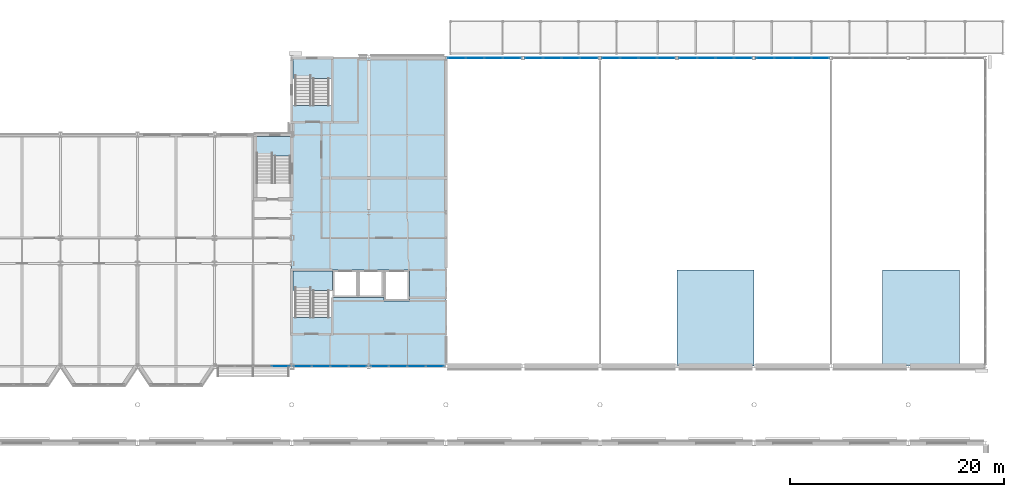
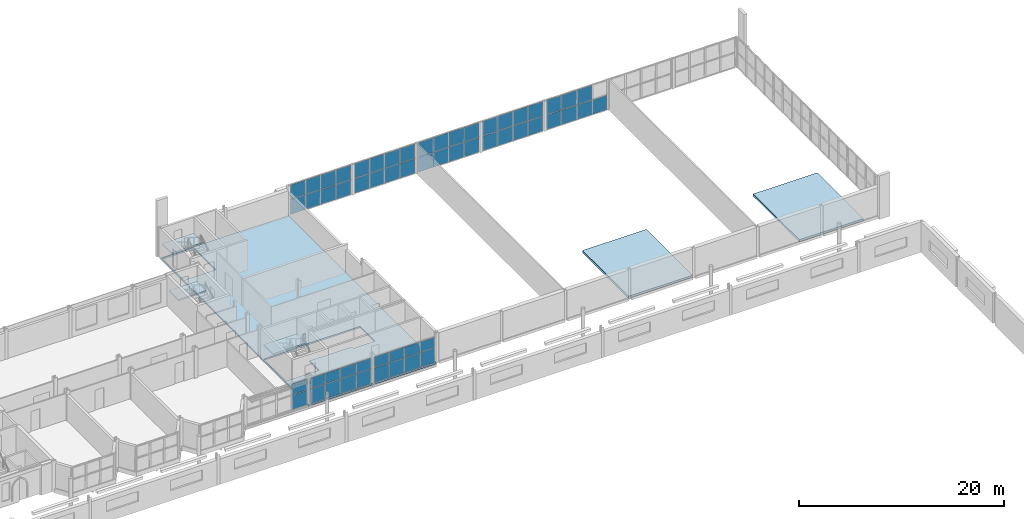
# One storey, part 61 of 124: 57 plates, 6 slabs, 11 elements without a shape of their own.
"""IFC4 building model written with IfcOpenShell, lengths in metres."""

import ifcopenshell
import ifcopenshell.guid

model = None  # the IFC model being written
_history = None  # IfcOwnerHistory: only IFC2X3 demands one
_inside = {}  # id of a spatial element -> (the spatial element, [elements in it])
_under = {}  # id of a project, library or spatial element -> (it, [spatial elements below it])
_declared = {}  # id of a project -> (the project, [libraries it declares])
_typed = {}  # id of a type object -> (the type object, [elements of that type])
_made_of = {}  # id of a material, layer set ... -> (it, [elements and type objects made of it])


def new_model(schema):
    """Start an empty IFC model of exactly this schema.

    Asked for "IFC4X3", IfcOpenShell would pick the latest addendum, in which some entities
    have other attributes; the version numbers below select the first issue.
    IFC2X3 requires an IfcOwnerHistory on every rooted entity: one is made here for all.
    """
    global model, _history
    if schema == "IFC4X3":
        model = ifcopenshell.file(schema_version=(4, 3, 0, 0))
    else:
        model = ifcopenshell.file(schema=schema)
    _inside.clear()
    _under.clear()
    _declared.clear()
    _typed.clear()
    _made_of.clear()
    _history = None
    if model.schema == "IFC2X3":
        org = make("IfcOrganization", Name="unknown")
        user = make(
            "IfcPersonAndOrganization",
            ThePerson=make("IfcPerson", FamilyName="unknown"),
            TheOrganization=org,
        )
        app = make(
            "IfcApplication",
            ApplicationDeveloper=org,
            Version="unknown",
            ApplicationFullName="unknown",
            ApplicationIdentifier="unknown",
        )
        _history = make(
            "IfcOwnerHistory",
            OwningUser=user,
            OwningApplication=app,
            ChangeAction="ADDED",
            CreationDate=0,
        )
    return model


def make(cls, **values):
    """One entity of the class cls with the attributes given. An attribute that is None is left unset."""
    return model.create_entity(
        cls, **{name: value for name, value in values.items() if value is not None}
    )


def rooted(cls, **values):
    """An entity with a GlobalId (a new one), such as an element, a storey or a relation."""
    return make(cls, GlobalId=ifcopenshell.guid.new(), OwnerHistory=_history, **values)


def si_unit(unit_type, name, prefix=None):
    """IfcSIUnit, for example si_unit("LENGTHUNIT", "METRE", prefix="MILLI")."""
    return make("IfcSIUnit", UnitType=unit_type, Prefix=prefix, Name=name)


def assignment(units):
    """IfcUnitAssignment: the units of a project."""
    return None if units is None else make("IfcUnitAssignment", Units=units)


def point(xyz):
    """IfcCartesianPoint."""
    return None if xyz is None else make("IfcCartesianPoint", Coordinates=xyz)


def direction(xyz):
    """IfcDirection."""
    return None if xyz is None else make("IfcDirection", DirectionRatios=xyz)


def frame(location, z_axis=None, x_axis=None):
    """IfcAxis2Placement3D, a coordinate frame: its origin and axes. An axis left out is left unset."""
    return make(
        "IfcAxis2Placement3D",
        Location=point(location),
        Axis=direction(z_axis),
        RefDirection=direction(x_axis),
    )


def frame_2d(location, x_axis=None):
    """IfcAxis2Placement2D, a coordinate frame in the plane: its origin and x axis."""
    return make(
        "IfcAxis2Placement2D", Location=point(location), RefDirection=direction(x_axis)
    )


def origin():
    """The frame at (0, 0, 0) with its axes left unset."""
    return frame((0.0, 0.0, 0.0))


def origin_2d():
    """The frame at (0, 0) in the plane with its x axis left unset."""
    return frame_2d((0.0, 0.0))


def place(relative_to, where):
    """IfcLocalPlacement: puts the frame where relative to a parent placement (None: the world)."""
    return make(
        "IfcLocalPlacement", PlacementRelTo=relative_to, RelativePlacement=where
    )


def context(
    kind, dimensions, precision=None, world=None, true_north=None, identifier=None
):
    """IfcGeometricRepresentationContext, for example the 3D "Model" context."""
    return make(
        "IfcGeometricRepresentationContext",
        ContextIdentifier=identifier,
        ContextType=kind,
        CoordinateSpaceDimension=dimensions,
        Precision=precision,
        WorldCoordinateSystem=world,
        TrueNorth=true_north,
    )


def subcontext(parent, identifier, kind, view, scale=None):
    """IfcGeometricRepresentationSubContext, for example "Body" below "Model"."""
    return make(
        "IfcGeometricRepresentationSubContext",
        ContextIdentifier=identifier,
        ContextType=kind,
        ParentContext=parent,
        TargetScale=scale,
        TargetView=view,
    )


def project(units=None, contexts=None):
    """IfcProject with its units and contexts."""
    return rooted(
        "IfcProject",
        Name="project",
        RepresentationContexts=contexts,
        UnitsInContext=assignment(units),
    )


def spatial(cls, under=None, at=None, **own):
    """A site, building, storey or space (cls), placed at a placement, below another one or the project."""
    s = rooted(cls, ObjectPlacement=at, **own)
    if under is not None:
        _under.setdefault(under.id(), (under, []))[1].append(s)
    return s


def polyline(points):
    """IfcPolyline through the points."""
    return make("IfcPolyline", Points=[point(p) for p in points])


def profile(cls, at=None, kind="AREA", **sizes):
    """A parametric profile (cls). Its sizes go by their IFC names, for example OverallWidth=200.0."""
    return make(cls, ProfileType=kind, Position=at, **sizes)


def rectangle(**sizes):
    """IfcRectangleProfileDef."""
    return profile("IfcRectangleProfileDef", **sizes)


def outline(outer, holes=None, kind="AREA"):
    """IfcArbitraryClosedProfileDef: a profile drawn as a closed curve; with holes, ...WithVoids."""
    if holes is None:
        return make("IfcArbitraryClosedProfileDef", ProfileType=kind, OuterCurve=outer)
    return make(
        "IfcArbitraryProfileDefWithVoids",
        ProfileType=kind,
        OuterCurve=outer,
        InnerCurves=holes,
    )


def extrude(swept, where, along, depth):
    """IfcExtrudedAreaSolid: the profile swept, set in the frame where, extruded along a direction by depth."""
    return make(
        "IfcExtrudedAreaSolid",
        SweptArea=swept,
        Position=where,
        ExtrudedDirection=direction(along),
        Depth=depth,
    )


def shape(context_of_items, identifier, shape_type, items):
    """IfcShapeRepresentation: the items that make up one representation, for example the "Body"."""
    return make(
        "IfcShapeRepresentation",
        ContextOfItems=context_of_items,
        RepresentationIdentifier=identifier,
        RepresentationType=shape_type,
        Items=items,
    )


def material(Name=None, Category=None):
    """IfcMaterial."""
    return make("IfcMaterial", Name=Name, Category=Category)


def layer(
    of_material, thickness, ventilated=None, Name=None, Category=None, Priority=None
):
    """IfcMaterialLayer: one layer of a wall or slab, of a material (None: an air gap)."""
    return make(
        "IfcMaterialLayer",
        Material=of_material,
        LayerThickness=thickness,
        IsVentilated=ventilated,
        Name=Name,
        Category=Category,
        Priority=Priority,
    )


def layer_set(layers, Name=None):
    """IfcMaterialLayerSet."""
    return make("IfcMaterialLayerSet", MaterialLayers=layers, LayerSetName=Name)


def made_of(thing, what):
    """Note that an element or type object is made of a material, layer set ...; save() writes the relation."""
    if what is not None:
        _made_of.setdefault(what.id(), (what, []))[1].append(thing)
    return thing


def type_object(cls, material=None, **own):
    """A type object (cls), such as IfcWallType, which elements share."""
    return made_of(rooted(cls, **own), material)


def element(
    cls,
    number,
    at=None,
    inside=None,
    cuts=None,
    type_object=None,
    material=None,
    context=None,
    identifier="Body",
    shape_type=None,
    held_by="IfcProductDefinitionShape",
    body=None,
    shapes=None,
    **own,
):
    """One element of the class cls, such as IfcWall. Its Tag is "e" and its number.

    at: its placement. inside: the storey or other place that contains it. cuts: it is an
    opening in that element (IfcRelVoidsElement). A single representation is given by context,
    identifier, shape_type and body (its items); several are given by shapes. held_by: the class
    of the entity that holds the representations. save() writes the other relations.
    """
    e = rooted(cls, Tag="e%d" % number, ObjectPlacement=at, **own)
    if body is not None:
        shapes = [shape(context, identifier, shape_type, body)]
    if shapes is not None:
        e.Representation = make(held_by, Representations=shapes)
    if inside is not None:
        _inside.setdefault(inside.id(), (inside, []))[1].append(e)
    if cuts is not None:
        rooted(
            "IfcRelVoidsElement", RelatingBuildingElement=cuts, RelatedOpeningElement=e
        )
    if type_object is not None:
        _typed.setdefault(type_object.id(), (type_object, []))[1].append(e)
    return made_of(e, material)


def aggregate(whole, parts):
    """IfcRelAggregates: a whole, such as a stair, and the parts it consists of."""
    return rooted("IfcRelAggregates", RelatingObject=whole, RelatedObjects=parts)


def save(model, path):
    """Write the relations noted so far, then the file.

    IfcRelAggregates (storeys below a building ...), IfcRelContainedInSpatialStructure (elements
    in a storey), IfcRelDefinesByType, IfcRelAssociatesMaterial and IfcRelDeclares: one each for
    every whole, place, type object, material and project.
    """
    for whole, parts in _under.values():
        aggregate(whole, parts)
    for where, things in _inside.values():
        rooted(
            "IfcRelContainedInSpatialStructure",
            RelatedElements=things,
            RelatingStructure=where,
        )
    for kind, things in _typed.values():
        rooted("IfcRelDefinesByType", RelatedObjects=things, RelatingType=kind)
    for what, things in _made_of.values():
        rooted("IfcRelAssociatesMaterial", RelatedObjects=things, RelatingMaterial=what)
    for by, libraries in _declared.values():
        rooted("IfcRelDeclares", RelatingContext=by, RelatedDefinitions=libraries)
    model.write(path)


model = new_model("IFC4")

# Units and contexts
model_context = context("Model", 3, precision=1e-05, world=origin(), true_north=direction((0.0, 1.0)))
body_context = subcontext(model_context, "Body", "Model", "MODEL_VIEW")
ifc_project = project(units=[si_unit("LENGTHUNIT", "METRE"), si_unit("AREAUNIT", "SQUARE_METRE"), si_unit("VOLUMEUNIT", "CUBIC_METRE"), si_unit("PLANEANGLEUNIT", "RADIAN"), si_unit("MASSUNIT", "GRAM", prefix="KILO")], contexts=[model_context])

# Site, building, storey
site_placement = place(None, origin())
site = spatial("IfcSite", under=ifc_project, at=site_placement, CompositionType="ELEMENT")
building_placement = place(site_placement, origin())
building = spatial("IfcBuilding", under=site, at=building_placement, Name="Kupolbacken Congress Centre", CompositionType="ELEMENT")
storey_placement = place(building_placement, frame((0.0, 0.0, 10.800048828125)))
storey = spatial("IfcBuildingStorey", under=building, at=storey_placement, Name="L03", CompositionType="ELEMENT", Elevation=10.800048828125)

# Slab
ifc_material_1 = material(Name="Concrete C30/37", Category="concrete")
ifc_layer_1 = layer(ifc_material_1, 0.1201171875)
ifc_material_2 = material(Name="Steel S350 profiled deck", Category="steel")
ifc_layer_2 = layer(ifc_material_2, 0.06005859375)
ifc_layer_set_1 = layer_set([ifc_layer_1, ifc_layer_2], Name="Concrete C30/37 / Steel S350 profiled deck")
slab_type_1 = type_object("IfcSlabType", Name="FS3 slab 180", PredefinedType="FLOOR", material=ifc_layer_set_1)
slab_1_placement = place(storey_placement, frame((0.0, 0.0, -0.179931640625)))
element("IfcSlab", 1, at=slab_1_placement, inside=storey, type_object=slab_type_1, Name="S/floor/BF/L03/slab/slab", PredefinedType="FLOOR", context=body_context, shape_type="SweptSolid", body=[
    extrude(outline(polyline([(151.199462890625, 122.400390625), (151.199462890625, 151.199462890625), (136.800537109375, 151.199462890625), (136.800537109375, 122.400390625), (151.199462890625, 122.400390625)]), holes=[polyline([(140.599609375, 131.400390625), (147.800537109375, 131.400390625), (147.800537109375, 128.49951171875), (145.3994140625, 128.49951171875), (145.3994140625, 128.799560546875), (140.6005859375, 128.799560546875), (140.6005859375, 126.95947265625), (136.924560546875, 126.95947265625), (136.924560546875, 131.275390625), (140.599609375, 131.275390625), (140.599609375, 131.400390625)]), polyline([(136.924560546875, 146.759521484375), (136.924560546875, 151.075439453125), (140.4755859375, 151.075439453125), (140.4755859375, 146.759521484375), (136.924560546875, 146.759521484375)])]), origin(), (0.0, 0.0, 1.0), 0.179931640625),
])

# Curtain wall, plates
ifc_material_3 = material(Name="Aluminium mullion-transom frame with glass", Category="aluminium")
curtain_wall_type = type_object("IfcCurtainWallType", Name="CW1 curtain wall 7200x3600", PredefinedType="NOTDEFINED", material=ifc_material_3)
curtain_wall_1_placement = place(storey_placement, origin())
curtain_wall_1 = element("IfcCurtainWall", 2, at=curtain_wall_1_placement, inside=storey, type_object=curtain_wall_type, Name="E/B/N/L03/303", PredefinedType="NOTDEFINED")
ifc_material_4 = material(Name="Glass", Category="glass")
ifc_layer_3 = layer(ifc_material_4, 0.035888671875)
ifc_layer_set_2 = layer_set([ifc_layer_3], Name="Glass")
plate_type = type_object("IfcPlateType", Name="GL2 glass panel 36", PredefinedType="CURTAIN_PANEL", material=ifc_layer_set_2)
plate_1_placement = place(storey_placement, frame((186.175048828125, 151.199951171875, 0.0498046875), z_axis=(0.0, 0.0, 1.0), x_axis=(-1.0, 0.0, 0.0)))
plate_1 = element("IfcPlate", 3, at=plate_1_placement, type_object=plate_type, Name="CW1 panel 1.1", PredefinedType="CURTAIN_PANEL", context=body_context, shape_type="SweptSolid", body=[
    extrude(rectangle(XDim=1.64990234375, YDim=0.035888671875, at=origin_2d()), origin(), (0.0, 0.0, 1.0), 1.72509765625),
])
plate_2_placement = place(storey_placement, frame((184.46240234375, 151.199951171875, 0.0498046875), z_axis=(0.0, 0.0, 1.0), x_axis=(-1.0, 0.0, 0.0)))
plate_2 = element("IfcPlate", 4, at=plate_2_placement, type_object=plate_type, Name="CW1 panel 2.1", PredefinedType="CURTAIN_PANEL", context=body_context, shape_type="SweptSolid", body=[
    extrude(rectangle(XDim=1.675048828125, YDim=0.035888671875, at=origin_2d()), origin(), (0.0, 0.0, 1.0), 1.72509765625),
])
plate_3_placement = place(storey_placement, frame((184.46240234375, 151.199951171875, 1.824951171875), z_axis=(0.0, 0.0, 1.0), x_axis=(-1.0, 0.0, 0.0)))
plate_3 = element("IfcPlate", 5, at=plate_3_placement, type_object=plate_type, Name="CW1 panel 2.2", PredefinedType="CURTAIN_PANEL", context=body_context, shape_type="SweptSolid", body=[
    extrude(rectangle(XDim=1.675048828125, YDim=0.035888671875, at=origin_2d()), origin(), (0.0, 0.0, 1.0), 1.72509765625),
])
plate_4_placement = place(storey_placement, frame((182.737548828125, 151.199951171875, 0.0498046875), z_axis=(0.0, 0.0, 1.0), x_axis=(-1.0, 0.0, 0.0)))
plate_4 = element("IfcPlate", 6, at=plate_4_placement, type_object=plate_type, Name="CW1 panel 3.1", PredefinedType="CURTAIN_PANEL", context=body_context, shape_type="SweptSolid", body=[
    extrude(rectangle(XDim=1.675048828125, YDim=0.035888671875, at=origin_2d()), origin(), (0.0, 0.0, 1.0), 1.72509765625),
])
plate_5_placement = place(storey_placement, frame((182.737548828125, 151.199951171875, 1.824951171875), z_axis=(0.0, 0.0, 1.0), x_axis=(-1.0, 0.0, 0.0)))
plate_5 = element("IfcPlate", 7, at=plate_5_placement, type_object=plate_type, Name="CW1 panel 3.2", PredefinedType="CURTAIN_PANEL", context=body_context, shape_type="SweptSolid", body=[
    extrude(rectangle(XDim=1.675048828125, YDim=0.035888671875, at=origin_2d()), origin(), (0.0, 0.0, 1.0), 1.72509765625),
])
plate_6_placement = place(storey_placement, frame((181.02490234375, 151.199951171875, 0.0498046875), z_axis=(0.0, 0.0, 1.0), x_axis=(-1.0, 0.0, 0.0)))
plate_6 = element("IfcPlate", 8, at=plate_6_placement, type_object=plate_type, Name="CW1 panel 4.1", PredefinedType="CURTAIN_PANEL", context=body_context, shape_type="SweptSolid", body=[
    extrude(rectangle(XDim=1.64990234375, YDim=0.035888671875, at=origin_2d()), origin(), (0.0, 0.0, 1.0), 1.72509765625),
])
plate_7_placement = place(storey_placement, frame((181.02490234375, 151.199951171875, 1.824951171875), z_axis=(0.0, 0.0, 1.0), x_axis=(-1.0, 0.0, 0.0)))
plate_7 = element("IfcPlate", 9, at=plate_7_placement, type_object=plate_type, Name="CW1 panel 4.2", PredefinedType="CURTAIN_PANEL", context=body_context, shape_type="SweptSolid", body=[
    extrude(rectangle(XDim=1.64990234375, YDim=0.035888671875, at=origin_2d()), origin(), (0.0, 0.0, 1.0), 1.72509765625),
])
aggregate(curtain_wall_1, [plate_1, plate_2, plate_3, plate_4, plate_5, plate_6, plate_7])

curtain_wall_2_placement = place(storey_placement, origin())
curtain_wall_2 = element("IfcCurtainWall", 10, at=curtain_wall_2_placement, inside=storey, type_object=curtain_wall_type, Name="E/B/N/L03/304", PredefinedType="NOTDEFINED")
plate_8_placement = place(storey_placement, frame((178.97509765625, 151.199951171875, 0.0498046875), z_axis=(0.0, 0.0, 1.0), x_axis=(-1.0, 0.0, 0.0)))
plate_8 = element("IfcPlate", 11, at=plate_8_placement, type_object=plate_type, Name="CW1 panel 1.1", PredefinedType="CURTAIN_PANEL", context=body_context, shape_type="SweptSolid", body=[
    extrude(rectangle(XDim=1.64990234375, YDim=0.035888671875, at=origin_2d()), origin(), (0.0, 0.0, 1.0), 1.72509765625),
])
plate_9_placement = place(storey_placement, frame((178.97509765625, 151.199951171875, 1.824951171875), z_axis=(0.0, 0.0, 1.0), x_axis=(-1.0, 0.0, 0.0)))
plate_9 = element("IfcPlate", 12, at=plate_9_placement, type_object=plate_type, Name="CW1 panel 1.2", PredefinedType="CURTAIN_PANEL", context=body_context, shape_type="SweptSolid", body=[
    extrude(rectangle(XDim=1.64990234375, YDim=0.035888671875, at=origin_2d()), origin(), (0.0, 0.0, 1.0), 1.72509765625),
])
plate_10_placement = place(storey_placement, frame((177.262451171875, 151.199951171875, 0.0498046875), z_axis=(0.0, 0.0, 1.0), x_axis=(-1.0, 0.0, 0.0)))
plate_10 = element("IfcPlate", 13, at=plate_10_placement, type_object=plate_type, Name="CW1 panel 2.1", PredefinedType="CURTAIN_PANEL", context=body_context, shape_type="SweptSolid", body=[
    extrude(rectangle(XDim=1.675048828125, YDim=0.035888671875, at=origin_2d()), origin(), (0.0, 0.0, 1.0), 1.72509765625),
])
plate_11_placement = place(storey_placement, frame((177.262451171875, 151.199951171875, 1.824951171875), z_axis=(0.0, 0.0, 1.0), x_axis=(-1.0, 0.0, 0.0)))
plate_11 = element("IfcPlate", 14, at=plate_11_placement, type_object=plate_type, Name="CW1 panel 2.2", PredefinedType="CURTAIN_PANEL", context=body_context, shape_type="SweptSolid", body=[
    extrude(rectangle(XDim=1.675048828125, YDim=0.035888671875, at=origin_2d()), origin(), (0.0, 0.0, 1.0), 1.72509765625),
])
plate_12_placement = place(storey_placement, frame((175.53759765625, 151.199951171875, 0.0498046875), z_axis=(0.0, 0.0, 1.0), x_axis=(-1.0, 0.0, 0.0)))
plate_12 = element("IfcPlate", 15, at=plate_12_placement, type_object=plate_type, Name="CW1 panel 3.1", PredefinedType="CURTAIN_PANEL", context=body_context, shape_type="SweptSolid", body=[
    extrude(rectangle(XDim=1.675048828125, YDim=0.035888671875, at=origin_2d()), origin(), (0.0, 0.0, 1.0), 1.72509765625),
])
plate_13_placement = place(storey_placement, frame((175.53759765625, 151.199951171875, 1.824951171875), z_axis=(0.0, 0.0, 1.0), x_axis=(-1.0, 0.0, 0.0)))
plate_13 = element("IfcPlate", 16, at=plate_13_placement, type_object=plate_type, Name="CW1 panel 3.2", PredefinedType="CURTAIN_PANEL", context=body_context, shape_type="SweptSolid", body=[
    extrude(rectangle(XDim=1.675048828125, YDim=0.035888671875, at=origin_2d()), origin(), (0.0, 0.0, 1.0), 1.72509765625),
])
plate_14_placement = place(storey_placement, frame((173.824951171875, 151.199951171875, 0.0498046875), z_axis=(0.0, 0.0, 1.0), x_axis=(-1.0, 0.0, 0.0)))
plate_14 = element("IfcPlate", 17, at=plate_14_placement, type_object=plate_type, Name="CW1 panel 4.1", PredefinedType="CURTAIN_PANEL", context=body_context, shape_type="SweptSolid", body=[
    extrude(rectangle(XDim=1.64990234375, YDim=0.035888671875, at=origin_2d()), origin(), (0.0, 0.0, 1.0), 1.72509765625),
])
plate_15_placement = place(storey_placement, frame((173.824951171875, 151.199951171875, 1.824951171875), z_axis=(0.0, 0.0, 1.0), x_axis=(-1.0, 0.0, 0.0)))
plate_15 = element("IfcPlate", 18, at=plate_15_placement, type_object=plate_type, Name="CW1 panel 4.2", PredefinedType="CURTAIN_PANEL", context=body_context, shape_type="SweptSolid", body=[
    extrude(rectangle(XDim=1.64990234375, YDim=0.035888671875, at=origin_2d()), origin(), (0.0, 0.0, 1.0), 1.72509765625),
])
aggregate(curtain_wall_2, [plate_8, plate_9, plate_10, plate_11, plate_12, plate_13, plate_14, plate_15])

curtain_wall_3_placement = place(storey_placement, origin())
curtain_wall_3 = element("IfcCurtainWall", 19, at=curtain_wall_3_placement, inside=storey, type_object=curtain_wall_type, Name="E/B/N/L03/305", PredefinedType="NOTDEFINED")
plate_16_placement = place(storey_placement, frame((171.77490234375, 151.199951171875, 0.0498046875), z_axis=(0.0, 0.0, 1.0), x_axis=(-1.0, 0.0, 0.0)))
plate_16 = element("IfcPlate", 20, at=plate_16_placement, type_object=plate_type, Name="CW1 panel 1.1", PredefinedType="CURTAIN_PANEL", context=body_context, shape_type="SweptSolid", body=[
    extrude(rectangle(XDim=1.64990234375, YDim=0.035888671875, at=origin_2d()), origin(), (0.0, 0.0, 1.0), 1.72509765625),
])
plate_17_placement = place(storey_placement, frame((171.77490234375, 151.199951171875, 1.824951171875), z_axis=(0.0, 0.0, 1.0), x_axis=(-1.0, 0.0, 0.0)))
plate_17 = element("IfcPlate", 21, at=plate_17_placement, type_object=plate_type, Name="CW1 panel 1.2", PredefinedType="CURTAIN_PANEL", context=body_context, shape_type="SweptSolid", body=[
    extrude(rectangle(XDim=1.64990234375, YDim=0.035888671875, at=origin_2d()), origin(), (0.0, 0.0, 1.0), 1.72509765625),
])
plate_18_placement = place(storey_placement, frame((170.0625, 151.199951171875, 0.0498046875), z_axis=(0.0, 0.0, 1.0), x_axis=(-1.0, 0.0, 0.0)))
plate_18 = element("IfcPlate", 22, at=plate_18_placement, type_object=plate_type, Name="CW1 panel 2.1", PredefinedType="CURTAIN_PANEL", context=body_context, shape_type="SweptSolid", body=[
    extrude(rectangle(XDim=1.675048828125, YDim=0.035888671875, at=origin_2d()), origin(), (0.0, 0.0, 1.0), 1.72509765625),
])
plate_19_placement = place(storey_placement, frame((170.0625, 151.199951171875, 1.824951171875), z_axis=(0.0, 0.0, 1.0), x_axis=(-1.0, 0.0, 0.0)))
plate_19 = element("IfcPlate", 23, at=plate_19_placement, type_object=plate_type, Name="CW1 panel 2.2", PredefinedType="CURTAIN_PANEL", context=body_context, shape_type="SweptSolid", body=[
    extrude(rectangle(XDim=1.675048828125, YDim=0.035888671875, at=origin_2d()), origin(), (0.0, 0.0, 1.0), 1.72509765625),
])
plate_20_placement = place(storey_placement, frame((168.33740234375, 151.199951171875, 0.0498046875), z_axis=(0.0, 0.0, 1.0), x_axis=(-1.0, 0.0, 0.0)))
plate_20 = element("IfcPlate", 24, at=plate_20_placement, type_object=plate_type, Name="CW1 panel 3.1", PredefinedType="CURTAIN_PANEL", context=body_context, shape_type="SweptSolid", body=[
    extrude(rectangle(XDim=1.675048828125, YDim=0.035888671875, at=origin_2d()), origin(), (0.0, 0.0, 1.0), 1.72509765625),
])
plate_21_placement = place(storey_placement, frame((168.33740234375, 151.199951171875, 1.824951171875), z_axis=(0.0, 0.0, 1.0), x_axis=(-1.0, 0.0, 0.0)))
plate_21 = element("IfcPlate", 25, at=plate_21_placement, type_object=plate_type, Name="CW1 panel 3.2", PredefinedType="CURTAIN_PANEL", context=body_context, shape_type="SweptSolid", body=[
    extrude(rectangle(XDim=1.675048828125, YDim=0.035888671875, at=origin_2d()), origin(), (0.0, 0.0, 1.0), 1.72509765625),
])
plate_22_placement = place(storey_placement, frame((166.625, 151.199951171875, 0.0498046875), z_axis=(0.0, 0.0, 1.0), x_axis=(-1.0, 0.0, 0.0)))
plate_22 = element("IfcPlate", 26, at=plate_22_placement, type_object=plate_type, Name="CW1 panel 4.1", PredefinedType="CURTAIN_PANEL", context=body_context, shape_type="SweptSolid", body=[
    extrude(rectangle(XDim=1.64990234375, YDim=0.035888671875, at=origin_2d()), origin(), (0.0, 0.0, 1.0), 1.72509765625),
])
plate_23_placement = place(storey_placement, frame((166.625, 151.199951171875, 1.824951171875), z_axis=(0.0, 0.0, 1.0), x_axis=(-1.0, 0.0, 0.0)))
plate_23 = element("IfcPlate", 27, at=plate_23_placement, type_object=plate_type, Name="CW1 panel 4.2", PredefinedType="CURTAIN_PANEL", context=body_context, shape_type="SweptSolid", body=[
    extrude(rectangle(XDim=1.64990234375, YDim=0.035888671875, at=origin_2d()), origin(), (0.0, 0.0, 1.0), 1.72509765625),
])
aggregate(curtain_wall_3, [plate_16, plate_17, plate_18, plate_19, plate_20, plate_21, plate_22, plate_23])

curtain_wall_4_placement = place(storey_placement, origin())
curtain_wall_4 = element("IfcCurtainWall", 28, at=curtain_wall_4_placement, inside=storey, type_object=curtain_wall_type, Name="E/B/N/L03/306", PredefinedType="NOTDEFINED")
plate_24_placement = place(storey_placement, frame((164.574951171875, 151.199951171875, 0.0498046875), z_axis=(0.0, 0.0, 1.0), x_axis=(-1.0, 0.0, 0.0)))
plate_24 = element("IfcPlate", 29, at=plate_24_placement, type_object=plate_type, Name="CW1 panel 1.1", PredefinedType="CURTAIN_PANEL", context=body_context, shape_type="SweptSolid", body=[
    extrude(rectangle(XDim=1.64990234375, YDim=0.035888671875, at=origin_2d()), origin(), (0.0, 0.0, 1.0), 1.72509765625),
])
plate_25_placement = place(storey_placement, frame((164.574951171875, 151.199951171875, 1.824951171875), z_axis=(0.0, 0.0, 1.0), x_axis=(-1.0, 0.0, 0.0)))
plate_25 = element("IfcPlate", 30, at=plate_25_placement, type_object=plate_type, Name="CW1 panel 1.2", PredefinedType="CURTAIN_PANEL", context=body_context, shape_type="SweptSolid", body=[
    extrude(rectangle(XDim=1.64990234375, YDim=0.035888671875, at=origin_2d()), origin(), (0.0, 0.0, 1.0), 1.72509765625),
])
plate_26_placement = place(storey_placement, frame((162.862548828125, 151.199951171875, 0.0498046875), z_axis=(0.0, 0.0, 1.0), x_axis=(-1.0, 0.0, 0.0)))
plate_26 = element("IfcPlate", 31, at=plate_26_placement, type_object=plate_type, Name="CW1 panel 2.1", PredefinedType="CURTAIN_PANEL", context=body_context, shape_type="SweptSolid", body=[
    extrude(rectangle(XDim=1.675048828125, YDim=0.035888671875, at=origin_2d()), origin(), (0.0, 0.0, 1.0), 1.72509765625),
])
plate_27_placement = place(storey_placement, frame((162.862548828125, 151.199951171875, 1.824951171875), z_axis=(0.0, 0.0, 1.0), x_axis=(-1.0, 0.0, 0.0)))
plate_27 = element("IfcPlate", 32, at=plate_27_placement, type_object=plate_type, Name="CW1 panel 2.2", PredefinedType="CURTAIN_PANEL", context=body_context, shape_type="SweptSolid", body=[
    extrude(rectangle(XDim=1.675048828125, YDim=0.035888671875, at=origin_2d()), origin(), (0.0, 0.0, 1.0), 1.72509765625),
])
plate_28_placement = place(storey_placement, frame((161.137451171875, 151.199951171875, 0.0498046875), z_axis=(0.0, 0.0, 1.0), x_axis=(-1.0, 0.0, 0.0)))
plate_28 = element("IfcPlate", 33, at=plate_28_placement, type_object=plate_type, Name="CW1 panel 3.1", PredefinedType="CURTAIN_PANEL", context=body_context, shape_type="SweptSolid", body=[
    extrude(rectangle(XDim=1.675048828125, YDim=0.035888671875, at=origin_2d()), origin(), (0.0, 0.0, 1.0), 1.72509765625),
])
plate_29_placement = place(storey_placement, frame((161.137451171875, 151.199951171875, 1.824951171875), z_axis=(0.0, 0.0, 1.0), x_axis=(-1.0, 0.0, 0.0)))
plate_29 = element("IfcPlate", 34, at=plate_29_placement, type_object=plate_type, Name="CW1 panel 3.2", PredefinedType="CURTAIN_PANEL", context=body_context, shape_type="SweptSolid", body=[
    extrude(rectangle(XDim=1.675048828125, YDim=0.035888671875, at=origin_2d()), origin(), (0.0, 0.0, 1.0), 1.72509765625),
])
plate_30_placement = place(storey_placement, frame((159.425048828125, 151.199951171875, 0.0498046875), z_axis=(0.0, 0.0, 1.0), x_axis=(-1.0, 0.0, 0.0)))
plate_30 = element("IfcPlate", 35, at=plate_30_placement, type_object=plate_type, Name="CW1 panel 4.1", PredefinedType="CURTAIN_PANEL", context=body_context, shape_type="SweptSolid", body=[
    extrude(rectangle(XDim=1.64990234375, YDim=0.035888671875, at=origin_2d()), origin(), (0.0, 0.0, 1.0), 1.72509765625),
])
plate_31_placement = place(storey_placement, frame((159.425048828125, 151.199951171875, 1.824951171875), z_axis=(0.0, 0.0, 1.0), x_axis=(-1.0, 0.0, 0.0)))
plate_31 = element("IfcPlate", 36, at=plate_31_placement, type_object=plate_type, Name="CW1 panel 4.2", PredefinedType="CURTAIN_PANEL", context=body_context, shape_type="SweptSolid", body=[
    extrude(rectangle(XDim=1.64990234375, YDim=0.035888671875, at=origin_2d()), origin(), (0.0, 0.0, 1.0), 1.72509765625),
])
aggregate(curtain_wall_4, [plate_24, plate_25, plate_26, plate_27, plate_28, plate_29, plate_30, plate_31])

curtain_wall_5_placement = place(storey_placement, origin())
curtain_wall_5 = element("IfcCurtainWall", 37, at=curtain_wall_5_placement, inside=storey, type_object=curtain_wall_type, Name="E/B/N/L03/307", PredefinedType="NOTDEFINED")
plate_32_placement = place(storey_placement, frame((157.375, 151.199951171875, 0.0498046875), z_axis=(0.0, 0.0, 1.0), x_axis=(-1.0, 0.0, 0.0)))
plate_32 = element("IfcPlate", 38, at=plate_32_placement, type_object=plate_type, Name="CW1 panel 1.1", PredefinedType="CURTAIN_PANEL", context=body_context, shape_type="SweptSolid", body=[
    extrude(rectangle(XDim=1.64990234375, YDim=0.035888671875, at=origin_2d()), origin(), (0.0, 0.0, 1.0), 1.72509765625),
])
plate_33_placement = place(storey_placement, frame((157.375, 151.199951171875, 1.824951171875), z_axis=(0.0, 0.0, 1.0), x_axis=(-1.0, 0.0, 0.0)))
plate_33 = element("IfcPlate", 39, at=plate_33_placement, type_object=plate_type, Name="CW1 panel 1.2", PredefinedType="CURTAIN_PANEL", context=body_context, shape_type="SweptSolid", body=[
    extrude(rectangle(XDim=1.64990234375, YDim=0.035888671875, at=origin_2d()), origin(), (0.0, 0.0, 1.0), 1.72509765625),
])
plate_34_placement = place(storey_placement, frame((155.66259765625, 151.199951171875, 0.0498046875), z_axis=(0.0, 0.0, 1.0), x_axis=(-1.0, 0.0, 0.0)))
plate_34 = element("IfcPlate", 40, at=plate_34_placement, type_object=plate_type, Name="CW1 panel 2.1", PredefinedType="CURTAIN_PANEL", context=body_context, shape_type="SweptSolid", body=[
    extrude(rectangle(XDim=1.675048828125, YDim=0.035888671875, at=origin_2d()), origin(), (0.0, 0.0, 1.0), 1.72509765625),
])
plate_35_placement = place(storey_placement, frame((155.66259765625, 151.199951171875, 1.824951171875), z_axis=(0.0, 0.0, 1.0), x_axis=(-1.0, 0.0, 0.0)))
plate_35 = element("IfcPlate", 41, at=plate_35_placement, type_object=plate_type, Name="CW1 panel 2.2", PredefinedType="CURTAIN_PANEL", context=body_context, shape_type="SweptSolid", body=[
    extrude(rectangle(XDim=1.675048828125, YDim=0.035888671875, at=origin_2d()), origin(), (0.0, 0.0, 1.0), 1.72509765625),
])
plate_36_placement = place(storey_placement, frame((153.9375, 151.199951171875, 0.0498046875), z_axis=(0.0, 0.0, 1.0), x_axis=(-1.0, 0.0, 0.0)))
plate_36 = element("IfcPlate", 42, at=plate_36_placement, type_object=plate_type, Name="CW1 panel 3.1", PredefinedType="CURTAIN_PANEL", context=body_context, shape_type="SweptSolid", body=[
    extrude(rectangle(XDim=1.675048828125, YDim=0.035888671875, at=origin_2d()), origin(), (0.0, 0.0, 1.0), 1.72509765625),
])
plate_37_placement = place(storey_placement, frame((153.9375, 151.199951171875, 1.824951171875), z_axis=(0.0, 0.0, 1.0), x_axis=(-1.0, 0.0, 0.0)))
plate_37 = element("IfcPlate", 43, at=plate_37_placement, type_object=plate_type, Name="CW1 panel 3.2", PredefinedType="CURTAIN_PANEL", context=body_context, shape_type="SweptSolid", body=[
    extrude(rectangle(XDim=1.675048828125, YDim=0.035888671875, at=origin_2d()), origin(), (0.0, 0.0, 1.0), 1.72509765625),
])
plate_38_placement = place(storey_placement, frame((152.22509765625, 151.199951171875, 0.0498046875), z_axis=(0.0, 0.0, 1.0), x_axis=(-1.0, 0.0, 0.0)))
plate_38 = element("IfcPlate", 44, at=plate_38_placement, type_object=plate_type, Name="CW1 panel 4.1", PredefinedType="CURTAIN_PANEL", context=body_context, shape_type="SweptSolid", body=[
    extrude(rectangle(XDim=1.64990234375, YDim=0.035888671875, at=origin_2d()), origin(), (0.0, 0.0, 1.0), 1.72509765625),
])
plate_39_placement = place(storey_placement, frame((152.22509765625, 151.199951171875, 1.824951171875), z_axis=(0.0, 0.0, 1.0), x_axis=(-1.0, 0.0, 0.0)))
plate_39 = element("IfcPlate", 45, at=plate_39_placement, type_object=plate_type, Name="CW1 panel 4.2", PredefinedType="CURTAIN_PANEL", context=body_context, shape_type="SweptSolid", body=[
    extrude(rectangle(XDim=1.64990234375, YDim=0.035888671875, at=origin_2d()), origin(), (0.0, 0.0, 1.0), 1.72509765625),
])
aggregate(curtain_wall_5, [plate_32, plate_33, plate_34, plate_35, plate_36, plate_37, plate_38, plate_39])

curtain_wall_6_placement = place(storey_placement, origin())
curtain_wall_6 = element("IfcCurtainWall", 46, at=curtain_wall_6_placement, inside=storey, type_object=curtain_wall_type, Name="E/BF/S/L03/319", PredefinedType="NOTDEFINED")
plate_40_placement = place(storey_placement, frame((137.824951171875, 122.39990234375, 0.0498046875), z_axis=(0.0, 0.0, 1.0), x_axis=(1.0, 0.0, 0.0)))
plate_40 = element("IfcPlate", 47, at=plate_40_placement, type_object=plate_type, Name="CW1 panel 1.1", PredefinedType="CURTAIN_PANEL", context=body_context, shape_type="SweptSolid", body=[
    extrude(rectangle(XDim=1.64990234375, YDim=0.035888671875, at=origin_2d()), origin(), (0.0, 0.0, 1.0), 1.72509765625),
])
plate_41_placement = place(storey_placement, frame((137.824951171875, 122.39990234375, 1.824951171875), z_axis=(0.0, 0.0, 1.0), x_axis=(1.0, 0.0, 0.0)))
plate_41 = element("IfcPlate", 48, at=plate_41_placement, type_object=plate_type, Name="CW1 panel 1.2", PredefinedType="CURTAIN_PANEL", context=body_context, shape_type="SweptSolid", body=[
    extrude(rectangle(XDim=1.64990234375, YDim=0.035888671875, at=origin_2d()), origin(), (0.0, 0.0, 1.0), 1.2451171875),
])
plate_42_placement = place(storey_placement, frame((139.53759765625, 122.39990234375, 0.0498046875), z_axis=(0.0, 0.0, 1.0), x_axis=(1.0, 0.0, 0.0)))
plate_42 = element("IfcPlate", 49, at=plate_42_placement, type_object=plate_type, Name="CW1 panel 2.1", PredefinedType="CURTAIN_PANEL", context=body_context, shape_type="SweptSolid", body=[
    extrude(rectangle(XDim=1.675048828125, YDim=0.035888671875, at=origin_2d()), origin(), (0.0, 0.0, 1.0), 1.72509765625),
])
plate_43_placement = place(storey_placement, frame((139.53759765625, 122.39990234375, 1.824951171875), z_axis=(0.0, 0.0, 1.0), x_axis=(1.0, 0.0, 0.0)))
plate_43 = element("IfcPlate", 50, at=plate_43_placement, type_object=plate_type, Name="CW1 panel 2.2", PredefinedType="CURTAIN_PANEL", context=body_context, shape_type="SweptSolid", body=[
    extrude(rectangle(XDim=1.675048828125, YDim=0.035888671875, at=origin_2d()), origin(), (0.0, 0.0, 1.0), 1.2451171875),
])
plate_44_placement = place(storey_placement, frame((141.262451171875, 122.39990234375, 0.0498046875), z_axis=(0.0, 0.0, 1.0), x_axis=(1.0, 0.0, 0.0)))
plate_44 = element("IfcPlate", 51, at=plate_44_placement, type_object=plate_type, Name="CW1 panel 3.1", PredefinedType="CURTAIN_PANEL", context=body_context, shape_type="SweptSolid", body=[
    extrude(rectangle(XDim=1.675048828125, YDim=0.035888671875, at=origin_2d()), origin(), (0.0, 0.0, 1.0), 1.72509765625),
])
plate_45_placement = place(storey_placement, frame((141.262451171875, 122.39990234375, 1.824951171875), z_axis=(0.0, 0.0, 1.0), x_axis=(1.0, 0.0, 0.0)))
plate_45 = element("IfcPlate", 52, at=plate_45_placement, type_object=plate_type, Name="CW1 panel 3.2", PredefinedType="CURTAIN_PANEL", context=body_context, shape_type="SweptSolid", body=[
    extrude(rectangle(XDim=1.675048828125, YDim=0.035888671875, at=origin_2d()), origin(), (0.0, 0.0, 1.0), 1.2451171875),
])
plate_46_placement = place(storey_placement, frame((142.97509765625, 122.39990234375, 0.0498046875), z_axis=(0.0, 0.0, 1.0), x_axis=(1.0, 0.0, 0.0)))
plate_46 = element("IfcPlate", 53, at=plate_46_placement, type_object=plate_type, Name="CW1 panel 4.1", PredefinedType="CURTAIN_PANEL", context=body_context, shape_type="SweptSolid", body=[
    extrude(rectangle(XDim=1.64990234375, YDim=0.035888671875, at=origin_2d()), origin(), (0.0, 0.0, 1.0), 1.72509765625),
])
plate_47_placement = place(storey_placement, frame((142.97509765625, 122.39990234375, 1.824951171875), z_axis=(0.0, 0.0, 1.0), x_axis=(1.0, 0.0, 0.0)))
plate_47 = element("IfcPlate", 54, at=plate_47_placement, type_object=plate_type, Name="CW1 panel 4.2", PredefinedType="CURTAIN_PANEL", context=body_context, shape_type="SweptSolid", body=[
    extrude(rectangle(XDim=1.64990234375, YDim=0.035888671875, at=origin_2d()), origin(), (0.0, 0.0, 1.0), 1.2451171875),
])
aggregate(curtain_wall_6, [plate_40, plate_41, plate_42, plate_43, plate_44, plate_45, plate_46, plate_47])

curtain_wall_7_placement = place(storey_placement, origin())
curtain_wall_7 = element("IfcCurtainWall", 55, at=curtain_wall_7_placement, inside=storey, type_object=curtain_wall_type, Name="E/BF/S/L03/320", PredefinedType="NOTDEFINED")
plate_48_placement = place(storey_placement, frame((145.02490234375, 122.39990234375, 0.0498046875), z_axis=(0.0, 0.0, 1.0), x_axis=(1.0, 0.0, 0.0)))
plate_48 = element("IfcPlate", 56, at=plate_48_placement, type_object=plate_type, Name="CW1 panel 1.1", PredefinedType="CURTAIN_PANEL", context=body_context, shape_type="SweptSolid", body=[
    extrude(rectangle(XDim=1.64990234375, YDim=0.035888671875, at=origin_2d()), origin(), (0.0, 0.0, 1.0), 1.72509765625),
])
plate_49_placement = place(storey_placement, frame((145.02490234375, 122.39990234375, 1.824951171875), z_axis=(0.0, 0.0, 1.0), x_axis=(1.0, 0.0, 0.0)))
plate_49 = element("IfcPlate", 57, at=plate_49_placement, type_object=plate_type, Name="CW1 panel 1.2", PredefinedType="CURTAIN_PANEL", context=body_context, shape_type="SweptSolid", body=[
    extrude(rectangle(XDim=1.64990234375, YDim=0.035888671875, at=origin_2d()), origin(), (0.0, 0.0, 1.0), 1.2451171875),
])
plate_50_placement = place(storey_placement, frame((146.737548828125, 122.39990234375, 0.0498046875), z_axis=(0.0, 0.0, 1.0), x_axis=(1.0, 0.0, 0.0)))
plate_50 = element("IfcPlate", 58, at=plate_50_placement, type_object=plate_type, Name="CW1 panel 2.1", PredefinedType="CURTAIN_PANEL", context=body_context, shape_type="SweptSolid", body=[
    extrude(rectangle(XDim=1.675048828125, YDim=0.035888671875, at=origin_2d()), origin(), (0.0, 0.0, 1.0), 1.72509765625),
])
plate_51_placement = place(storey_placement, frame((146.737548828125, 122.39990234375, 1.824951171875), z_axis=(0.0, 0.0, 1.0), x_axis=(1.0, 0.0, 0.0)))
plate_51 = element("IfcPlate", 59, at=plate_51_placement, type_object=plate_type, Name="CW1 panel 2.2", PredefinedType="CURTAIN_PANEL", context=body_context, shape_type="SweptSolid", body=[
    extrude(rectangle(XDim=1.675048828125, YDim=0.035888671875, at=origin_2d()), origin(), (0.0, 0.0, 1.0), 1.2451171875),
])
plate_52_placement = place(storey_placement, frame((148.46240234375, 122.39990234375, 0.0498046875), z_axis=(0.0, 0.0, 1.0), x_axis=(1.0, 0.0, 0.0)))
plate_52 = element("IfcPlate", 60, at=plate_52_placement, type_object=plate_type, Name="CW1 panel 3.1", PredefinedType="CURTAIN_PANEL", context=body_context, shape_type="SweptSolid", body=[
    extrude(rectangle(XDim=1.675048828125, YDim=0.035888671875, at=origin_2d()), origin(), (0.0, 0.0, 1.0), 1.72509765625),
])
plate_53_placement = place(storey_placement, frame((148.46240234375, 122.39990234375, 1.824951171875), z_axis=(0.0, 0.0, 1.0), x_axis=(1.0, 0.0, 0.0)))
plate_53 = element("IfcPlate", 61, at=plate_53_placement, type_object=plate_type, Name="CW1 panel 3.2", PredefinedType="CURTAIN_PANEL", context=body_context, shape_type="SweptSolid", body=[
    extrude(rectangle(XDim=1.675048828125, YDim=0.035888671875, at=origin_2d()), origin(), (0.0, 0.0, 1.0), 1.2451171875),
])
plate_54_placement = place(storey_placement, frame((150.175048828125, 122.39990234375, 0.0498046875), z_axis=(0.0, 0.0, 1.0), x_axis=(1.0, 0.0, 0.0)))
plate_54 = element("IfcPlate", 62, at=plate_54_placement, type_object=plate_type, Name="CW1 panel 4.1", PredefinedType="CURTAIN_PANEL", context=body_context, shape_type="SweptSolid", body=[
    extrude(rectangle(XDim=1.64990234375, YDim=0.035888671875, at=origin_2d()), origin(), (0.0, 0.0, 1.0), 1.72509765625),
])
plate_55_placement = place(storey_placement, frame((150.175048828125, 122.39990234375, 1.824951171875), z_axis=(0.0, 0.0, 1.0), x_axis=(1.0, 0.0, 0.0)))
plate_55 = element("IfcPlate", 63, at=plate_55_placement, type_object=plate_type, Name="CW1 panel 4.2", PredefinedType="CURTAIN_PANEL", context=body_context, shape_type="SweptSolid", body=[
    extrude(rectangle(XDim=1.64990234375, YDim=0.035888671875, at=origin_2d()), origin(), (0.0, 0.0, 1.0), 1.2451171875),
])
aggregate(curtain_wall_7, [plate_48, plate_49, plate_50, plate_51, plate_52, plate_53, plate_54, plate_55])

curtain_wall_8_placement = place(storey_placement, origin())
curtain_wall_8 = element("IfcCurtainWall", 64, at=curtain_wall_8_placement, inside=storey, type_object=curtain_wall_type, Name="E/T/S/L03/043/g0", PredefinedType="NOTDEFINED")
plate_56_placement = place(storey_placement, frame((135.775390625, 122.39990234375, 0.0498046875), z_axis=(0.0, 0.0, 1.0), x_axis=(1.0, 0.0, 0.0)))
plate_56 = element("IfcPlate", 65, at=plate_56_placement, type_object=plate_type, Name="CW1 panel 4.1", PredefinedType="CURTAIN_PANEL", context=body_context, shape_type="SweptSolid", body=[
    extrude(rectangle(XDim=1.649169921875, YDim=0.035888671875, at=origin_2d()), origin(), (0.0, 0.0, 1.0), 1.72509765625),
])
plate_57_placement = place(storey_placement, frame((135.775390625, 122.39990234375, 1.8251953125), z_axis=(0.0, 0.0, 1.0), x_axis=(1.0, 0.0, 0.0)))
plate_57 = element("IfcPlate", 66, at=plate_57_placement, type_object=plate_type, Name="CW1 panel 4.2", PredefinedType="CURTAIN_PANEL", context=body_context, shape_type="SweptSolid", body=[
    extrude(rectangle(XDim=1.649169921875, YDim=0.035888671875, at=origin_2d()), origin(), (0.0, 0.0, 1.0), 1.284912109375),
])
aggregate(curtain_wall_8, [plate_56, plate_57])

# Slabs
ifc_layer_4 = layer(ifc_material_1, 0.080078125)
ifc_layer_5 = layer(ifc_material_2, 0.06005859375)
ifc_material_5 = material(Name="Mineral wool", Category="insulation")
ifc_layer_6 = layer(ifc_material_5, 0.1298828125)
ifc_layer_set_3 = layer_set([ifc_layer_4, ifc_layer_5, ifc_layer_6], Name="Concrete C30/37 / Steel S350 profiled deck / Mineral wool")
slab_type_2 = type_object("IfcSlabType", Name="RS6 slab 270", PredefinedType="ROOF", material=ifc_layer_set_3)
slab_2_placement = place(storey_placement, origin())
element("IfcSlab", 67, at=slab_2_placement, inside=storey, type_object=slab_type_2, Name="Stair core roof slab B-K", PredefinedType="ROOF", context=body_context, shape_type="SweptSolid", body=[
    extrude(outline(polyline([(192.0, 122.39990234375), (199.199951171875, 122.39990234375), (199.199951171875, 131.39990234375), (192.0, 131.39990234375), (192.0, 122.39990234375)])), origin(), (0.0, 0.0, 1.0), 0.27001953125),
])
slab_3_placement = place(storey_placement, origin())
element("IfcSlab", 68, at=slab_3_placement, inside=storey, type_object=slab_type_2, Name="Stair core roof slab B-W", PredefinedType="ROOF", context=body_context, shape_type="SweptSolid", body=[
    extrude(outline(polyline([(172.800048828125, 122.39990234375), (180.0, 122.39990234375), (180.0, 131.39990234375), (172.800048828125, 131.39990234375), (172.800048828125, 122.39990234375)])), origin(), (0.0, 0.0, 1.0), 0.27001953125),
])

# Stair, slab
ifc_material_6 = material(Name="Steel S355", Category="steel")
stair_type = type_object("IfcStairType", Name="ST2 stair 1500", PredefinedType="TWO_STRAIGHT_RUN_STAIR", material=ifc_material_6)
stair_1_placement = place(storey_placement, origin())
stair_1 = element("IfcStair", 69, at=stair_1_placement, inside=storey, type_object=stair_type, Name="C/stair/TS4/L03", PredefinedType="NOTDEFINED")
ifc_material_7 = material(Name="Concrete C30/37 precast", Category="concrete")
ifc_layer_7 = layer(ifc_material_7, 0.175048828125)
ifc_layer_set_4 = layer_set([ifc_layer_7], Name="Concrete C30/37 precast")
slab_type_3 = type_object("IfcSlabType", Name="SL1 slab 175", PredefinedType="LANDING", material=ifc_layer_set_4)
slab_4_placement = place(storey_placement, frame((0.0, 0.0, 1.539306640625)))
slab_4 = element("IfcSlab", 70, at=slab_4_placement, type_object=slab_type_3, Name="TS4 landing 1", PredefinedType="LANDING", context=body_context, shape_type="SweptSolid", body=[
    extrude(outline(polyline([(133.530029296875, 142.044921875), (136.669921875, 142.044921875), (136.669921875, 143.8701171875), (133.530029296875, 143.8701171875), (133.530029296875, 142.044921875)])), origin(), (0.0, 0.0, 1.0), 0.175048828125),
])
aggregate(stair_1, [slab_4])

stair_2_placement = place(storey_placement, origin())
stair_2 = element("IfcStair", 71, at=stair_2_placement, inside=storey, type_object=stair_type, Name="C/stair/BS1/L03", PredefinedType="NOTDEFINED")
slab_5_placement = place(storey_placement, frame((0.0, 0.0, 1.539306640625)))
slab_5 = element("IfcSlab", 72, at=slab_5_placement, type_object=slab_type_3, Name="BS1 landing 1", PredefinedType="LANDING", context=body_context, shape_type="SweptSolid", body=[
    extrude(outline(polyline([(136.905029296875, 129.469970703125), (140.6201171875, 129.469970703125), (140.6201171875, 131.294921875), (136.905029296875, 131.294921875), (136.905029296875, 129.469970703125)])), origin(), (0.0, 0.0, 1.0), 0.175048828125),
])
aggregate(stair_2, [slab_5])

stair_3_placement = place(storey_placement, origin())
stair_3 = element("IfcStair", 73, at=stair_3_placement, inside=storey, type_object=stair_type, Name="C/stair/BS2/L03", PredefinedType="NOTDEFINED")
slab_6_placement = place(storey_placement, frame((0.0, 0.0, 1.539306640625)))
slab_6 = element("IfcSlab", 74, at=slab_6_placement, type_object=slab_type_3, Name="BS2 landing 1", PredefinedType="LANDING", context=body_context, shape_type="SweptSolid", body=[
    extrude(outline(polyline([(136.905029296875, 149.27001953125), (140.4951171875, 149.27001953125), (140.4951171875, 151.094970703125), (136.905029296875, 151.094970703125), (136.905029296875, 149.27001953125)])), origin(), (0.0, 0.0, 1.0), 0.175048828125),
])
aggregate(stair_3, [slab_6])

save(model, "model.ifc")
